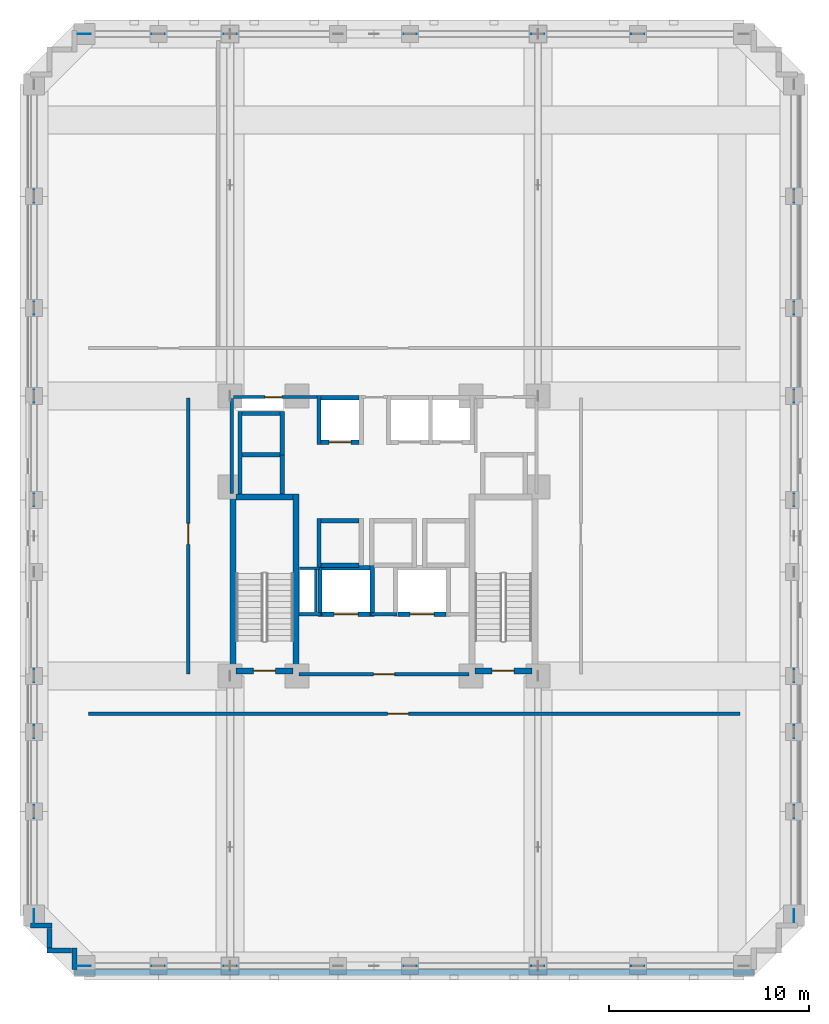
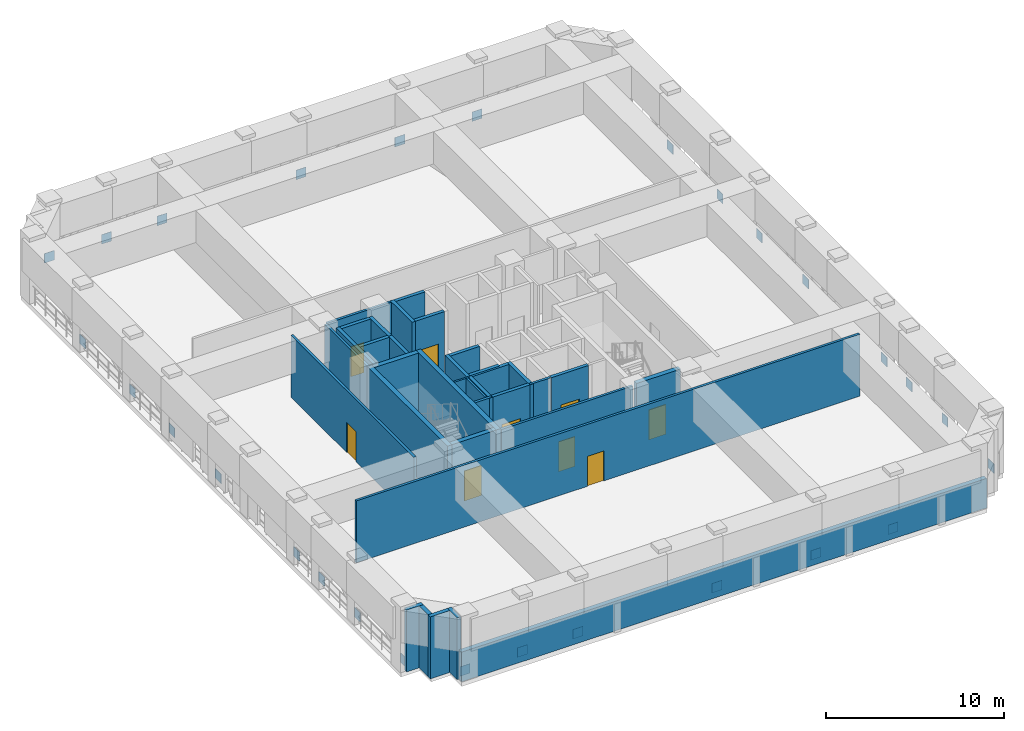
# One storey, part 4 of 11: 35 walls, 28 plates, 9 doors, 9 openings.
"""IFC4 building model written with IfcOpenShell, lengths in metres."""

from ifc_helpers import new_model, si_unit, derived_unit, direction, frame, frame_2d, origin, origin_2d, place, context, subcontext, project, spatial, rectangle, extrude, material, layer, layer_set, type_object, element, fill, save


model = new_model("IFC4")

# Units and contexts
model_context = context("Model", 3, precision=1e-05, world=origin(), true_north=direction((0.0, 1.0)))
body_context = subcontext(model_context, "Body", "Model", "MODEL_VIEW")
ifc_project = project(units=[si_unit("LENGTHUNIT", "METRE"), si_unit("AREAUNIT", "SQUARE_METRE"), si_unit("VOLUMEUNIT", "CUBIC_METRE"), si_unit("PLANEANGLEUNIT", "RADIAN"), si_unit("MASSUNIT", "GRAM", prefix="KILO"), derived_unit("THERMALTRANSMITTANCEUNIT", [(si_unit("MASSUNIT", "GRAM", prefix="KILO"), 1), (si_unit("TIMEUNIT", "SECOND"), -3), (si_unit("THERMODYNAMICTEMPERATUREUNIT", "KELVIN"), -1)])], contexts=[model_context])

# Site, building, storey
site_placement = place(None, origin())
site = spatial("IfcSite", under=ifc_project, at=site_placement, CompositionType="ELEMENT")
building_placement = place(site_placement, origin())
building = spatial("IfcBuilding", under=site, at=building_placement, Name="Korrvale Station Residences", CompositionType="ELEMENT")
storey_placement = place(building_placement, frame((0.0, 0.0, 70.60009765625)))
storey = spatial("IfcBuildingStorey", under=building, at=storey_placement, Name="L19", CompositionType="ELEMENT", Elevation=70.60009765625)

# Plates
ifc_material_1 = material(Name="Steel S355", Category="steel")
ifc_layer_1 = layer(ifc_material_1, 0.02490234375, Name="Steel S355")
ifc_layer_set_1 = layer_set([ifc_layer_1], Name="Steel S355")
plate_type = type_object("IfcPlateType", Name="PLT-GUSSET-25", PredefinedType="SHEET", material=ifc_layer_set_1)
for number, where, z_axis, x_axis, name in (
    (1, (10.5, 0.47998046875, 0.02490234375), (0.0, 0.0, 1.0), (1.0, 0.0, 0.0), "L19 Belt Truss Node Gusset Plate 01"),
    (2, (14.199951171875, 0.47998046875, 0.02490234375), (0.0, 0.0, 1.0), (1.0, 0.0, 0.0), "L19 Belt Truss Node Gusset Plate 02"),
    (3, (17.800048828125, 0.47998046875, 0.02490234375), (0.0, 0.0, 1.0), (1.0, 0.0, 0.0), "L19 Belt Truss Node Gusset Plate 03"),
    (4, (26.800048828125, 0.47998046875, 0.02490234375), (0.0, 0.0, 1.0), (1.0, 0.0, 0.0), "L19 Belt Truss Node Gusset Plate 04"),
    (5, (33.199951171875, 0.47998046875, 0.02490234375), (0.0, 0.0, 1.0), (1.0, 0.0, 0.0), "L19 Belt Truss Node Gusset Plate 05"),
    (6, (38.199951171875, 0.47998046875, 0.02490234375), (0.0, 0.0, 1.0), (1.0, 0.0, 0.0), "L19 Belt Truss Node Gusset Plate 06"),
    (7, (10.5, 47.1201171875, 0.02490234375), (0.0, 0.0, 1.0), (1.0, 0.0, 0.0), "L19 Belt Truss Node Gusset Plate 07"),
    (8, (14.199951171875, 47.1201171875, 0.02490234375), (0.0, 0.0, 1.0), (1.0, 0.0, 0.0), "L19 Belt Truss Node Gusset Plate 08"),
    (9, (17.800048828125, 47.1201171875, 0.02490234375), (0.0, 0.0, 1.0), (1.0, 0.0, 0.0), "L19 Belt Truss Node Gusset Plate 09"),
    (10, (26.800048828125, 47.1201171875, 0.02490234375), (0.0, 0.0, 1.0), (1.0, 0.0, 0.0), "L19 Belt Truss Node Gusset Plate 10"),
    (11, (33.199951171875, 47.1201171875, 0.02490234375), (0.0, 0.0, 1.0), (1.0, 0.0, 0.0), "L19 Belt Truss Node Gusset Plate 11"),
    (12, (38.199951171875, 47.1201171875, 0.02490234375), (0.0, 0.0, 1.0), (1.0, 0.0, 0.0), "L19 Belt Truss Node Gusset Plate 12"),
    (13, (7.97998046875, 3.0, 0.02490234375), (0.0, 0.0, 1.0), (0.0, 1.0, 0.0), "L19 Belt Truss Node Gusset Plate 13"),
    (14, (7.97998046875, 8.199951171875, 0.02490234375), (0.0, 0.0, 1.0), (0.0, 1.0, 0.0), "L19 Belt Truss Node Gusset Plate 14"),
    (15, (7.97998046875, 12.199951171875, 0.02490234375), (0.0, 0.0, 1.0), (0.0, 1.0, 0.0), "L19 Belt Truss Node Gusset Plate 15"),
    (16, (7.97998046875, 15.0, 0.02490234375), (0.0, 0.0, 1.0), (0.0, 1.0, 0.0), "L19 Belt Truss Node Gusset Plate 16"),
    (17, (7.97998046875, 23.800048828125, 0.02490234375), (0.0, 0.0, 1.0), (0.0, 1.0, 0.0), "L19 Belt Truss Node Gusset Plate 17"),
    (18, (7.97998046875, 29.0, 0.02490234375), (0.0, 0.0, 1.0), (0.0, 1.0, 0.0), "L19 Belt Truss Node Gusset Plate 18"),
    (19, (7.97998046875, 33.39990234375, 0.02490234375), (0.0, 0.0, 1.0), (0.0, 1.0, 0.0), "L19 Belt Truss Node Gusset Plate 19"),
    (20, (7.97998046875, 39.0, 0.02490234375), (0.0, 0.0, 1.0), (0.0, 1.0, 0.0), "L19 Belt Truss Node Gusset Plate 20"),
    (21, (46.02001953125, 3.0, 0.02490234375), (0.0, 0.0, 1.0), (0.0, 1.0, 0.0), "L19 Belt Truss Node Gusset Plate 21"),
    (22, (46.02001953125, 8.199951171875, 0.02490234375), (0.0, 0.0, 1.0), (0.0, 1.0, 0.0), "L19 Belt Truss Node Gusset Plate 22"),
    (23, (46.02001953125, 12.199951171875, 0.02490234375), (0.0, 0.0, 1.0), (0.0, 1.0, 0.0), "L19 Belt Truss Node Gusset Plate 23"),
    (24, (46.02001953125, 15.0, 0.02490234375), (0.0, 0.0, 1.0), (0.0, 1.0, 0.0), "L19 Belt Truss Node Gusset Plate 24"),
    (25, (46.02001953125, 23.800048828125, 0.02490234375), (0.0, 0.0, 1.0), (0.0, 1.0, 0.0), "L19 Belt Truss Node Gusset Plate 25"),
    (26, (46.02001953125, 29.0, 0.02490234375), (0.0, 0.0, 1.0), (0.0, 1.0, 0.0), "L19 Belt Truss Node Gusset Plate 26"),
    (27, (46.02001953125, 33.39990234375, 0.02490234375), (0.0, 0.0, 1.0), (0.0, 1.0, 0.0), "L19 Belt Truss Node Gusset Plate 27"),
    (28, (46.02001953125, 39.0, 0.02490234375), (0.0, 0.0, 1.0), (0.0, 1.0, 0.0), "L19 Belt Truss Node Gusset Plate 28"),
):
    element("IfcPlate", number, at=place(storey_placement, frame(where, z_axis=z_axis, x_axis=x_axis)), inside=storey, type_object=plate_type, Name=name, PredefinedType="SHEET", context=body_context, shape_type="SweptSolid", body=[
        extrude(rectangle(XDim=0.64990234375, YDim=0.02490234375, at=origin_2d()), origin(), (0.0, 0.0, 1.0), 0.64990234375),
    ])

# Walls
ifc_material_2 = material(Name="Concrete C70/85", Category="concrete")
ifc_layer_2 = layer(ifc_material_2, 0.300048828125, Name="Concrete C70/85")
ifc_layer_set_2 = layer_set([ifc_layer_2], Name="Concrete C70/85")
wall_type_1 = type_object("IfcWallType", Name="WAL-CORE-300-C70", PredefinedType="SHEAR", material=ifc_layer_set_2)
for number, where, z_axis, x_axis, name in (
    (29, (17.949951171875, 15.10009765625, 0.0), (0.0, 0.0, 1.0), (0.0, 1.0, 0.0), "L19 ST-1 Core Shear Wall West"),
    (30, (21.10009765625, 15.10009765625, 0.0), (0.0, 0.0, 1.0), (0.0, 1.0, 0.0), "L19 ST-1 Core Shear Wall East"),
):
    element("IfcWall", number, at=place(storey_placement, frame(where, z_axis=z_axis, x_axis=x_axis)), inside=storey, type_object=wall_type_1, Name=name, PredefinedType="SHEAR", context=body_context, shape_type="SweptSolid", body=[
        extrude(rectangle(XDim=9.0, YDim=0.300048828125, at=frame_2d((4.5, 0.0))), origin(), (0.0, 0.0, 1.0), 4.239990234375),
    ])
wall_1_placement = place(storey_placement, frame((18.10009765625, 23.949951171875, 0.0), z_axis=(0.0, 0.0, 1.0), x_axis=(1.0, 0.0, 0.0)))
element("IfcWall", 31, at=wall_1_placement, inside=storey, type_object=wall_type_1, Name="L19 ST-1 Core Shear Wall North", PredefinedType="SHEAR", context=body_context, shape_type="SweptSolid", body=[
    extrude(rectangle(XDim=2.849853515625, YDim=0.300048828125, at=frame_2d((1.4248046875, 0.0))), origin(), (0.0, 0.0, 1.0), 4.239990234375),
])

# Wall, opening, door
wall_2_placement = place(storey_placement, frame((18.10009765625, 15.25, 0.0), z_axis=(0.0, 0.0, 1.0), x_axis=(1.0, 0.0, 0.0)))
wall_2 = element("IfcWall", 32, at=wall_2_placement, inside=storey, type_object=wall_type_1, Name="L19 ST-1 Core Shear Wall South", PredefinedType="SHEAR", context=body_context, shape_type="SweptSolid", body=[
    extrude(rectangle(XDim=2.849853515625, YDim=0.300048828125, at=frame_2d((1.4248046875, 0.0))), origin(), (0.0, 0.0, 1.0), 4.239990234375),
])
opening_1_placement = place(wall_2_placement, frame((0.860107421875, 0.0, 0.0)))
opening_1 = element("IfcOpeningElement", 33, at=opening_1_placement, cuts=wall_2, Name="Opening SD-1100", PredefinedType="OPENING", context=body_context, shape_type="SweptSolid", body=[
    extrude(rectangle(XDim=1.10009765625, YDim=2.050048828125, at=frame_2d((0.550048828125, 1.02490234375))), frame((0.0, 0.16015625, 0.0), z_axis=(0.0, -1.0, 0.0), x_axis=(1.0, 0.0, 0.0)), (0.0, 0.0, 1.0), 0.320068359375),
])
ifc_material_3 = material(Name="Hollow-metal fire-rated stair door with closer", Category="steel")
door_type_1 = type_object("IfcDoorType", Name="DR-STAIR-1100", OperationType="NOTDEFINED", PredefinedType="DOOR", material=ifc_material_3)
door_1_placement = place(opening_1_placement, origin())
door_1 = element("IfcDoor", 34, at=door_1_placement, inside=storey, type_object=door_type_1, Name="L19 ST-1 Exit Stair Door", OperationType="SINGLE_SWING_LEFT", OverallHeight=2.050048828125, OverallWidth=1.10009765625, PredefinedType="DOOR", context=body_context, shape_type="SweptSolid", body=[
    extrude(rectangle(XDim=1.10009765625, YDim=2.050048828125, at=frame_2d((0.550048828125, 1.02490234375))), frame((0.0, 0.02490234375, 0.0), z_axis=(0.0, -1.0, 0.0), x_axis=(1.0, 0.0, 0.0)), (0.0, 0.0, 1.0), 0.050048828125),
])
fill(opening_1, door_1)

wall_3_placement = place(storey_placement, frame((30.050048828125, 15.25, 0.0), z_axis=(0.0, 0.0, 1.0), x_axis=(1.0, 0.0, 0.0)))
wall_3 = element("IfcWall", 35, at=wall_3_placement, inside=storey, type_object=wall_type_1, Name="L19 ST-2 Core Shear Wall South", PredefinedType="SHEAR", context=body_context, shape_type="SweptSolid", body=[
    extrude(rectangle(XDim=2.849853515625, YDim=0.300048828125, at=frame_2d((1.4248046875, 0.0))), origin(), (0.0, 0.0, 1.0), 4.239990234375),
])
opening_2_placement = place(wall_3_placement, frame((0.860107421875, 0.0, 0.0)))
opening_2 = element("IfcOpeningElement", 36, at=opening_2_placement, cuts=wall_3, Name="Opening SD-1100", PredefinedType="OPENING", context=body_context, shape_type="SweptSolid", body=[
    extrude(rectangle(XDim=1.10009765625, YDim=2.050048828125, at=frame_2d((0.550048828125, 1.02490234375))), frame((0.0, 0.16015625, 0.0), z_axis=(0.0, -1.0, 0.0), x_axis=(1.0, 0.0, 0.0)), (0.0, 0.0, 1.0), 0.320068359375),
])
door_2_placement = place(opening_2_placement, origin())
door_2 = element("IfcDoor", 37, at=door_2_placement, inside=storey, type_object=door_type_1, Name="L19 ST-2 Exit Stair Door", OperationType="SINGLE_SWING_RIGHT", OverallHeight=2.050048828125, OverallWidth=1.10009765625, PredefinedType="DOOR", context=body_context, shape_type="SweptSolid", body=[
    extrude(rectangle(XDim=1.10009765625, YDim=2.050048828125, at=frame_2d((0.550048828125, 1.02490234375))), frame((0.0, 0.02490234375, 0.0), z_axis=(0.0, -1.0, 0.0), x_axis=(1.0, 0.0, 0.0)), (0.0, 0.0, 1.0), 0.050048828125),
])
fill(opening_2, door_2)

# Walls
ifc_material_4 = material(Name="Precast concrete C45/55", Category="concrete")
ifc_layer_3 = layer(ifc_material_4, 0.260009765625, Name="Precast concrete C45/55")
ifc_layer_set_3 = layer_set([ifc_layer_3], Name="Precast concrete C45/55")
wall_type_2 = type_object("IfcWallType", Name="WAL-EXT-LOG260", PredefinedType="SOLIDWALL", material=ifc_layer_set_3)
wall_4_placement = place(storey_placement, frame((10.0, 0.302001953125, 0.0), z_axis=(0.0, 0.0, 1.0), x_axis=(0.0, 1.0, 0.0)))
element("IfcWall", 38, at=wall_4_placement, inside=storey, type_object=wall_type_2, Name="L19 Serrated Corner Precast Step SW-1", PredefinedType="SOLIDWALL", context=body_context, shape_type="SweptSolid", body=[
    extrude(rectangle(XDim=1.077880859375, YDim=0.260009765625, at=frame_2d((0.5390625, 0.0))), origin(), (0.0, 0.0, 1.0), 4.239990234375),
])
wall_5_placement = place(storey_placement, frame((9.867919921875, 1.25, 0.0), z_axis=(0.0, 0.0, 1.0), x_axis=(-1.0, 0.0, 0.0)))
element("IfcWall", 39, at=wall_5_placement, inside=storey, type_object=wall_type_2, Name="L19 Serrated Corner Precast Step SW-2", PredefinedType="SOLIDWALL", context=body_context, shape_type="SweptSolid", body=[
    extrude(rectangle(XDim=1.247802734375, YDim=0.260009765625, at=frame_2d((0.6240234375, 0.0))), origin(), (0.0, 0.0, 1.0), 4.239990234375),
])
wall_6_placement = place(storey_placement, frame((8.75, 1.382080078125, 0.0), z_axis=(0.0, 0.0, 1.0), x_axis=(0.0, 1.0, 0.0)))
element("IfcWall", 40, at=wall_6_placement, inside=storey, type_object=wall_type_2, Name="L19 Serrated Corner Precast Step SW-3", PredefinedType="SOLIDWALL", context=body_context, shape_type="SweptSolid", body=[
    extrude(rectangle(XDim=0.98583984375, YDim=0.260009765625, at=frame_2d((0.492919921875, 0.0))), origin(), (0.0, 0.0, 1.0), 4.239990234375),
])
wall_7_placement = place(storey_placement, frame((8.8798828125, 2.5, 0.0), z_axis=(0.0, 0.0, 1.0), x_axis=(-1.0, 0.0, 0.0)))
element("IfcWall", 41, at=wall_7_placement, inside=storey, type_object=wall_type_2, Name="L19 Serrated Corner Precast Step SW-4", PredefinedType="SOLIDWALL", context=body_context, shape_type="SweptSolid", body=[
    extrude(rectangle(XDim=1.077880859375, YDim=0.260009765625, at=frame_2d((0.5390625, 0.0))), origin(), (0.0, 0.0, 1.0), 4.239990234375),
])
ifc_layer_4 = layer(ifc_material_4, 0.300048828125, Name="Precast concrete C45/55")
ifc_layer_set_4 = layer_set([ifc_layer_4], Name="Precast concrete C45/55")
wall_type_3 = type_object("IfcWallType", Name="WAL-EXT-PC300", PredefinedType="SOLIDWALL", material=ifc_layer_set_4)
wall_8_placement = place(storey_placement, frame((44.0, 0.14990234375, 0.0), z_axis=(0.0, 0.0, 1.0), x_axis=(-1.0, 0.0, 0.0)))
element("IfcWall", 42, at=wall_8_placement, inside=storey, type_object=wall_type_3, Name="L19 South Exterior Precast Wall 1", PredefinedType="SOLIDWALL", context=body_context, shape_type="SweptSolid", body=[
    extrude(rectangle(XDim=34.0, YDim=0.300048828125, at=frame_2d((17.0, 0.0))), origin(), (0.0, 0.0, 1.0), 2.02490234375),
])
ifc_material_5 = material(Name="Acoustic steel-stud gypsum board partition", Category="steel")
ifc_layer_5 = layer(ifc_material_5, 0.1201171875, Name="Acoustic steel-stud gypsum board partition")
ifc_layer_set_5 = layer_set([ifc_layer_5], Name="Acoustic steel-stud gypsum board partition")
wall_type_4 = type_object("IfcWallType", Name="WAL-PART-125", PredefinedType="PARTITIONING", material=ifc_layer_set_5)
wall_9_placement = place(storey_placement, frame((22.080078125, 18.199951171875, 0.0), z_axis=(0.0, 0.0, 1.0), x_axis=(0.0, 1.0, 0.0)))
element("IfcWall", 43, at=wall_9_placement, inside=storey, type_object=wall_type_4, Name="L19 Core Partition CW-RSWT", PredefinedType="PARTITIONING", context=body_context, shape_type="SweptSolid", body=[
    extrude(rectangle(XDim=2.1201171875, YDim=0.1201171875, at=frame_2d((1.06005859375, 0.0))), origin(), (0.0, 0.0, 1.0), 4.239990234375),
])
wall_10_placement = place(storey_placement, frame((22.280029296875, 20.3798828125, 0.0), z_axis=(0.0, 0.0, 1.0), x_axis=(-1.0, 0.0, 0.0)))
element("IfcWall", 44, at=wall_10_placement, inside=storey, type_object=wall_type_4, Name="L19 Core Partition CW-RSWT-N", PredefinedType="PARTITIONING", context=body_context, shape_type="SweptSolid", body=[
    extrude(rectangle(XDim=1.02001953125, YDim=0.1201171875, at=frame_2d((0.510009765625, 0.0))), origin(), (0.0, 0.0, 1.0), 4.239990234375),
])

# Wall, opening, door
ifc_material_6 = material(Name="Fire-rated twin-stud gypsum and mineral wool shaftwall assembly", Category="gypsum")
ifc_layer_6 = layer(ifc_material_6, 0.159912109375, Name="Fire-rated twin-stud gypsum and mineral wool shaftwall assembly")
ifc_layer_set_6 = layer_set([ifc_layer_6], Name="Fire-rated twin-stud gypsum and mineral wool shaftwall assembly")
wall_type_5 = type_object("IfcWallType", Name="WAL-PART-200", PredefinedType="PARTITIONING", material=ifc_layer_set_6)
wall_11_placement = place(storey_placement, frame((21.25, 15.080078125, 0.0), z_axis=(0.0, 0.0, 1.0), x_axis=(1.0, 0.0, 0.0)))
wall_11 = element("IfcWall", 45, at=wall_11_placement, inside=storey, type_object=wall_type_5, Name="L19 Core Partition CW-FFL-S", PredefinedType="PARTITIONING", context=body_context, shape_type="SweptSolid", body=[
    extrude(rectangle(XDim=8.5, YDim=0.159912109375, at=frame_2d((4.25, 0.0))), origin(), (0.0, 0.0, 1.0), 4.239990234375),
])
opening_3_placement = place(wall_11_placement, frame((3.72509765625, 0.0, 0.0)))
opening_3 = element("IfcOpeningElement", 46, at=opening_3_placement, cuts=wall_11, Name="Opening FD-1050", PredefinedType="OPENING", context=body_context, shape_type="SweptSolid", body=[
    extrude(rectangle(XDim=1.050048828125, YDim=2.050048828125, at=frame_2d((0.52490234375, 1.02490234375))), frame((0.0, 0.08984375, 0.0), z_axis=(0.0, -1.0, 0.0), x_axis=(1.0, 0.0, 0.0)), (0.0, 0.0, 1.0), 0.179931640625),
])
ifc_material_7 = material(Name="Fire-rated mineral-core timber lobby door", Category="wood")
door_type_2 = type_object("IfcDoorType", Name="DR-CORE-1050", OperationType="NOTDEFINED", PredefinedType="DOOR", material=ifc_material_7)
door_3_placement = place(opening_3_placement, origin())
door_3 = element("IfcDoor", 47, at=door_3_placement, inside=storey, type_object=door_type_2, Name="L19 Firefighting Lobby Entry Door", OperationType="SINGLE_SWING_RIGHT", OverallHeight=2.050048828125, OverallWidth=1.050048828125, PredefinedType="DOOR", context=body_context, shape_type="SweptSolid", body=[
    extrude(rectangle(XDim=1.050048828125, YDim=2.050048828125, at=frame_2d((0.52490234375, 1.02490234375))), frame((0.0, 0.02490234375, 0.0), z_axis=(0.0, -1.0, 0.0), x_axis=(1.0, 0.0, 0.0)), (0.0, 0.0, 1.0), 0.050048828125),
])
fill(opening_3, door_3)

# Walls
wall_12_placement = place(storey_placement, frame((21.25, 18.080078125, 0.0), z_axis=(0.0, 0.0, 1.0), x_axis=(1.0, 0.0, 0.0)))
element("IfcWall", 48, at=wall_12_placement, inside=storey, type_object=wall_type_5, Name="L19 Core Partition CW-FFL-N1", PredefinedType="PARTITIONING", context=body_context, shape_type="SweptSolid", body=[
    extrude(rectangle(XDim=1.10009765625, YDim=0.159912109375, at=frame_2d((0.550048828125, 0.0))), origin(), (0.0, 0.0, 1.0), 4.239990234375),
])
wall_13_placement = place(storey_placement, frame((24.85009765625, 18.080078125, 0.0), z_axis=(0.0, 0.0, 1.0), x_axis=(1.0, 0.0, 0.0)))
element("IfcWall", 49, at=wall_13_placement, inside=storey, type_object=wall_type_5, Name="L19 Core Partition CW-FFL-N2", PredefinedType="PARTITIONING", context=body_context, shape_type="SweptSolid", body=[
    extrude(rectangle(XDim=1.2998046875, YDim=0.159912109375, at=frame_2d((0.64990234375, 0.0))), origin(), (0.0, 0.0, 1.0), 4.239990234375),
])
wall_14_placement = place(storey_placement, frame((17.8798828125, 24.1201171875, 0.0), z_axis=(0.0, 0.0, 1.0), x_axis=(0.0, 1.0, 0.0)))
element("IfcWall", 50, at=wall_14_placement, inside=storey, type_object=wall_type_5, Name="L19 Core Partition CW-W-N", PredefinedType="PARTITIONING", context=body_context, shape_type="SweptSolid", body=[
    extrude(rectangle(XDim=4.759765625, YDim=0.159912109375, at=frame_2d((2.3798828125, 0.0))), origin(), (0.0, 0.0, 1.0), 4.239990234375),
])

# Wall, opening, door
wall_15_placement = place(storey_placement, frame((17.9599609375, 28.949951171875, 0.0), z_axis=(0.0, 0.0, 1.0), x_axis=(1.0, 0.0, 0.0)))
wall_15 = element("IfcWall", 51, at=wall_15_placement, inside=storey, type_object=wall_type_5, Name="L19 Core Partition CW-NW", PredefinedType="PARTITIONING", context=body_context, shape_type="SweptSolid", body=[
    extrude(rectangle(XDim=4.2900390625, YDim=0.159912109375, at=frame_2d((2.14501953125, 0.0))), origin(), (0.0, 0.0, 1.0), 4.239990234375),
])
opening_4_placement = place(wall_15_placement, frame((1.570068359375, 0.0, 0.0)))
opening_4 = element("IfcOpeningElement", 52, at=opening_4_placement, cuts=wall_15, Name="Opening DB-860", PredefinedType="OPENING", context=body_context, shape_type="SweptSolid", body=[
    extrude(rectangle(XDim=0.860107421875, YDim=2.050048828125, at=frame_2d((0.43017578125, 1.02490234375))), frame((0.0, 0.08984375, 0.0), z_axis=(0.0, -1.0, 0.0), x_axis=(1.0, 0.0, 0.0)), (0.0, 0.0, 1.0), 0.179931640625),
])
ifc_material_8 = material(Name="Moisture-resistant solid-core bathroom door", Category="timber")
door_type_3 = type_object("IfcDoorType", Name="DR-BATH-860", OperationType="NOTDEFINED", PredefinedType="DOOR", material=ifc_material_8)
door_4_placement = place(opening_4_placement, origin())
door_4 = element("IfcDoor", 53, at=door_4_placement, inside=storey, type_object=door_type_3, Name="L19 Electrical Riser Access Door", OperationType="SINGLE_SWING_RIGHT", OverallHeight=2.050048828125, OverallWidth=0.860107421875, PredefinedType="DOOR", context=body_context, shape_type="SweptSolid", body=[
    extrude(rectangle(XDim=0.860107421875, YDim=2.050048828125, at=frame_2d((0.43017578125, 1.02490234375))), frame((0.0, 0.02490234375, 0.0), z_axis=(0.0, -1.0, 0.0), x_axis=(1.0, 0.0, 0.0)), (0.0, 0.0, 1.0), 0.050048828125),
])
fill(opening_4, door_4)

wall_16_placement = place(storey_placement, frame((10.699951171875, 13.10009765625, 0.0), z_axis=(0.0, 0.0, 1.0), x_axis=(1.0, 0.0, 0.0)))
wall_16 = element("IfcWall", 54, at=wall_16_placement, inside=storey, type_object=wall_type_5, Name="L19 Interior Partition W-RS", PredefinedType="PARTITIONING", context=body_context, shape_type="SweptSolid", body=[
    extrude(rectangle(XDim=32.60009765625, YDim=0.159912109375, at=frame_2d((16.300048828125, 0.0))), origin(), (0.0, 0.0, 1.0), 4.239990234375),
])
opening_5_placement = place(wall_16_placement, frame((14.97509765625, 0.0, 0.0)))
opening_5 = element("IfcOpeningElement", 55, at=opening_5_placement, cuts=wall_16, Name="Opening FD-1050", PredefinedType="OPENING", context=body_context, shape_type="SweptSolid", body=[
    extrude(rectangle(XDim=1.050048828125, YDim=2.050048828125, at=frame_2d((0.52490234375, 1.02490234375))), frame((0.0, 0.08984375, 0.0), z_axis=(0.0, -1.0, 0.0), x_axis=(1.0, 0.0, 0.0)), (0.0, 0.0, 1.0), 0.179931640625),
])
door_5_placement = place(opening_5_placement, origin())
door_5 = element("IfcDoor", 56, at=door_5_placement, inside=storey, type_object=door_type_2, Name="L19 Heat Exchanger Plant Door", OperationType="SINGLE_SWING_RIGHT", OverallHeight=2.050048828125, OverallWidth=1.050048828125, PredefinedType="DOOR", context=body_context, shape_type="SweptSolid", body=[
    extrude(rectangle(XDim=1.050048828125, YDim=2.050048828125, at=frame_2d((0.52490234375, 1.02490234375))), frame((0.0, 0.02490234375, 0.0), z_axis=(0.0, -1.0, 0.0), x_axis=(1.0, 0.0, 0.0)), (0.0, 0.0, 1.0), 0.050048828125),
])
fill(opening_5, door_5)

wall_17_placement = place(storey_placement, frame((15.699951171875, 15.10009765625, 0.0), z_axis=(0.0, 0.0, 1.0), x_axis=(0.0, 1.0, 0.0)))
wall_17 = element("IfcWall", 57, at=wall_17_placement, inside=storey, type_object=wall_type_5, Name="L19 Interior Partition W-RW", PredefinedType="PARTITIONING", context=body_context, shape_type="SweptSolid", body=[
    extrude(rectangle(XDim=13.7998046875, YDim=0.159912109375, at=frame_2d((6.89990234375, 0.0))), origin(), (0.0, 0.0, 1.0), 4.239990234375),
])
opening_6_placement = place(wall_17_placement, frame((6.47509765625, 0.0, 0.0)))
opening_6 = element("IfcOpeningElement", 58, at=opening_6_placement, cuts=wall_17, Name="Opening FD-1050", PredefinedType="OPENING", context=body_context, shape_type="SweptSolid", body=[
    extrude(rectangle(XDim=1.050048828125, YDim=2.050048828125, at=frame_2d((0.52490234375, 1.02490234375))), frame((0.0, 0.08984375, 0.0), z_axis=(0.0, -1.0, 0.0), x_axis=(1.0, 0.0, 0.0)), (0.0, 0.0, 1.0), 0.179931640625),
])
door_6_placement = place(opening_6_placement, origin())
door_6 = element("IfcDoor", 59, at=door_6_placement, inside=storey, type_object=door_type_2, Name="L19 West Refuge Area Fire Door", OperationType="SINGLE_SWING_LEFT", OverallHeight=2.050048828125, OverallWidth=1.050048828125, PredefinedType="DOOR", context=body_context, shape_type="SweptSolid", body=[
    extrude(rectangle(XDim=1.050048828125, YDim=2.050048828125, at=frame_2d((0.52490234375, 1.02490234375))), frame((0.0, 0.02490234375, 0.0), z_axis=(0.0, -1.0, 0.0), x_axis=(1.0, 0.0, 0.0)), (0.0, 0.0, 1.0), 0.050048828125),
])
fill(opening_6, door_6)

ifc_layer_7 = layer(ifc_material_2, 0.219970703125, Name="Concrete C70/85")
ifc_layer_set_7 = layer_set([ifc_layer_7], Name="Concrete C70/85")
wall_type_6 = type_object("IfcWallType", Name="WAL-SHAFT-220-C70", PredefinedType="SHEAR", material=ifc_layer_set_7)
wall_18_placement = place(storey_placement, frame((22.35009765625, 26.68994140625, 0.0), z_axis=(0.0, 0.0, 1.0), x_axis=(1.0, 0.0, 0.0)))
wall_18 = element("IfcWall", 60, at=wall_18_placement, inside=storey, type_object=wall_type_6, Name="L19 Elevator PL-1 Hoistway Wall South", PredefinedType="SHEAR", context=body_context, shape_type="SweptSolid", body=[
    extrude(rectangle(XDim=1.89990234375, YDim=0.219970703125, at=frame_2d((0.949951171875, 0.0))), origin(), (0.0, 0.0, 1.0), 4.239990234375),
])
opening_7_placement = place(wall_18_placement, frame((0.39990234375, 0.0, 0.0)))
opening_7 = element("IfcOpeningElement", 61, at=opening_7_placement, cuts=wall_18, Name="Opening LD-1100", PredefinedType="OPENING", context=body_context, shape_type="SweptSolid", body=[
    extrude(rectangle(XDim=1.10009765625, YDim=2.14990234375, at=frame_2d((0.550048828125, 1.074951171875))), frame((0.0, 0.1201171875, 0.0), z_axis=(0.0, -1.0, 0.0), x_axis=(1.0, 0.0, 0.0)), (0.0, 0.0, 1.0), 0.239990234375),
])
ifc_material_9 = material(Name="Brushed stainless-steel elevator landing sliding door", Category="steel")
door_type_4 = type_object("IfcDoorType", Name="DR-LIFT-1100", OperationType="SLIDING_TO_LEFT", PredefinedType="DOOR", material=ifc_material_9)
door_7_placement = place(opening_7_placement, origin())
door_7 = element("IfcDoor", 62, at=door_7_placement, inside=storey, type_object=door_type_4, Name="L19 Elevator PL-1 Sliding Landing Door", OperationType="SLIDING_TO_LEFT", OverallHeight=2.14990234375, OverallWidth=1.10009765625, PredefinedType="DOOR", context=body_context, shape_type="SweptSolid", body=[
    extrude(rectangle(XDim=1.10009765625, YDim=2.14990234375, at=frame_2d((0.550048828125, 1.074951171875))), frame((0.0, 0.02490234375, 0.0), z_axis=(0.0, -1.0, 0.0), x_axis=(1.0, 0.0, 0.0)), (0.0, 0.0, 1.0), 0.050048828125),
])
fill(opening_7, door_7)

# Walls
wall_19_placement = place(storey_placement, frame((22.35009765625, 28.909912109375, 0.0), z_axis=(0.0, 0.0, 1.0), x_axis=(1.0, 0.0, 0.0)))
element("IfcWall", 63, at=wall_19_placement, inside=storey, type_object=wall_type_6, Name="L19 Elevator PL-1 Hoistway Wall North", PredefinedType="SHEAR", context=body_context, shape_type="SweptSolid", body=[
    extrude(rectangle(XDim=1.89990234375, YDim=0.219970703125, at=frame_2d((0.949951171875, 0.0))), origin(), (0.0, 0.0, 1.0), 4.239990234375),
])
wall_20_placement = place(storey_placement, frame((22.239990234375, 26.580078125, 0.0), z_axis=(0.0, 0.0, 1.0), x_axis=(0.0, 1.0, 0.0)))
element("IfcWall", 64, at=wall_20_placement, inside=storey, type_object=wall_type_6, Name="L19 Elevator PL-1 Hoistway Wall West", PredefinedType="SHEAR", context=body_context, shape_type="SweptSolid", body=[
    extrude(rectangle(XDim=2.43994140625, YDim=0.219970703125, at=frame_2d((1.219970703125, 0.0))), origin(), (0.0, 0.0, 1.0), 4.239990234375),
])
for number, where, z_axis, x_axis, name in (
    (65, (22.35009765625, 20.5400390625, 0.0), (0.0, 0.0, 1.0), (1.0, 0.0, 0.0), "L19 Elevator PM-1 Hoistway Wall South"),
    (66, (22.35009765625, 22.760009765625, 0.0), (0.0, 0.0, 1.0), (1.0, 0.0, 0.0), "L19 Elevator PM-1 Hoistway Wall North"),
):
    element("IfcWall", number, at=place(storey_placement, frame(where, z_axis=z_axis, x_axis=x_axis)), inside=storey, type_object=wall_type_6, Name=name, PredefinedType="SHEAR", context=body_context, shape_type="SweptSolid", body=[
        extrude(rectangle(XDim=1.89990234375, YDim=0.219970703125, at=frame_2d((0.949951171875, 0.0))), origin(), (0.0, 0.0, 1.0), 4.239990234375),
    ])
wall_21_placement = place(storey_placement, frame((22.239990234375, 20.429931640625, 0.0), z_axis=(0.0, 0.0, 1.0), x_axis=(0.0, 1.0, 0.0)))
element("IfcWall", 67, at=wall_21_placement, inside=storey, type_object=wall_type_6, Name="L19 Elevator PM-1 Hoistway Wall West", PredefinedType="SHEAR", context=body_context, shape_type="SweptSolid", body=[
    extrude(rectangle(XDim=2.440185546875, YDim=0.219970703125, at=frame_2d((1.22021484375, 0.0))), origin(), (0.0, 0.0, 1.0), 4.239990234375),
])
wall_22_placement = place(storey_placement, frame((18.2900390625, 24.10009765625, 0.0), z_axis=(0.0, 0.0, 1.0), x_axis=(0.0, 1.0, 0.0)))
element("IfcWall", 68, at=wall_22_placement, inside=storey, type_object=wall_type_6, Name="L19 Elevator PH-1 Hoistway Wall West", PredefinedType="SHEAR", context=body_context, shape_type="SweptSolid", body=[
    extrude(rectangle(XDim=4.139892578125, YDim=0.219970703125, at=frame_2d((2.06982421875, 0.0))), origin(), (0.0, 0.0, 1.0), 4.239990234375),
])
wall_23_placement = place(storey_placement, frame((20.409912109375, 24.10009765625, 0.0), z_axis=(0.0, 0.0, 1.0), x_axis=(0.0, 1.0, 0.0)))
element("IfcWall", 69, at=wall_23_placement, inside=storey, type_object=wall_type_6, Name="L19 Elevator PH-1 Hoistway Wall East", PredefinedType="SHEAR", context=body_context, shape_type="SweptSolid", body=[
    extrude(rectangle(XDim=1.9599609375, YDim=0.219970703125, at=frame_2d((0.97998046875, 0.0))), origin(), (0.0, 0.0, 1.0), 4.239990234375),
])
for number, where, z_axis, x_axis, name in (
    (70, (18.39990234375, 26.06005859375, 0.0), (0.0, 0.0, 1.0), (1.0, 0.0, 0.0), "L19 Elevator PH-2 Hoistway Wall South"),
    (71, (18.39990234375, 28.1298828125, 0.0), (0.0, 0.0, 1.0), (1.0, 0.0, 0.0), "L19 Elevator PH-2 Hoistway Wall North"),
):
    element("IfcWall", number, at=place(storey_placement, frame(where, z_axis=z_axis, x_axis=x_axis)), inside=storey, type_object=wall_type_6, Name=name, PredefinedType="SHEAR", context=body_context, shape_type="SweptSolid", body=[
        extrude(rectangle(XDim=1.900146484375, YDim=0.219970703125, at=frame_2d((0.9501953125, 0.0))), origin(), (0.0, 0.0, 1.0), 4.239990234375),
    ])
wall_24_placement = place(storey_placement, frame((20.409912109375, 26.06005859375, 0.0), z_axis=(0.0, 0.0, 1.0), x_axis=(0.0, 1.0, 0.0)))
element("IfcWall", 72, at=wall_24_placement, inside=storey, type_object=wall_type_6, Name="L19 Elevator PH-2 Hoistway Wall East", PredefinedType="SHEAR", context=body_context, shape_type="SweptSolid", body=[
    extrude(rectangle(XDim=2.179931640625, YDim=0.219970703125, at=frame_2d((1.08984375, 0.0))), origin(), (0.0, 0.0, 1.0), 4.239990234375),
])

# Wall, opening, door
wall_25_placement = place(storey_placement, frame((22.39990234375, 18.090087890625, 0.0), z_axis=(0.0, 0.0, 1.0), x_axis=(1.0, 0.0, 0.0)))
wall_25 = element("IfcWall", 73, at=wall_25_placement, inside=storey, type_object=wall_type_6, Name="L19 Elevator FFL-1 Hoistway Wall South", PredefinedType="SHEAR", context=body_context, shape_type="SweptSolid", body=[
    extrude(rectangle(XDim=2.400146484375, YDim=0.219970703125, at=frame_2d((1.2001953125, 0.0))), origin(), (0.0, 0.0, 1.0), 4.239990234375),
])
opening_8_placement = place(wall_25_placement, frame((0.60009765625, 0.0, 0.0)))
opening_8 = element("IfcOpeningElement", 74, at=opening_8_placement, cuts=wall_25, Name="Opening LD-FF1200", PredefinedType="OPENING", context=body_context, shape_type="SweptSolid", body=[
    extrude(rectangle(XDim=1.199951171875, YDim=2.14990234375, at=frame_2d((0.60009765625, 1.074951171875))), frame((0.0, 0.1201171875, 0.0), z_axis=(0.0, -1.0, 0.0), x_axis=(1.0, 0.0, 0.0)), (0.0, 0.0, 1.0), 0.239990234375),
])
ifc_material_10 = material(Name="Stainless-steel firefighter elevator landing sliding door", Category="steel")
door_type_5 = type_object("IfcDoorType", Name="DR-LIFT-FF1200", OperationType="SLIDING_TO_LEFT", PredefinedType="DOOR", material=ifc_material_10)
door_8_placement = place(opening_8_placement, origin())
door_8 = element("IfcDoor", 75, at=door_8_placement, inside=storey, type_object=door_type_5, Name="L19 Elevator FFL-1 Sliding Landing Door", OperationType="SLIDING_TO_LEFT", OverallHeight=2.14990234375, OverallWidth=1.199951171875, PredefinedType="DOOR", context=body_context, shape_type="SweptSolid", body=[
    extrude(rectangle(XDim=1.199951171875, YDim=2.14990234375, at=frame_2d((0.60009765625, 1.074951171875))), frame((0.0, 0.02490234375, 0.0), z_axis=(0.0, -1.0, 0.0), x_axis=(1.0, 0.0, 0.0)), (0.0, 0.0, 1.0), 0.050048828125),
])
fill(opening_8, door_8)

# Walls
wall_26_placement = place(storey_placement, frame((22.39990234375, 20.409912109375, 0.0), z_axis=(0.0, 0.0, 1.0), x_axis=(1.0, 0.0, 0.0)))
element("IfcWall", 76, at=wall_26_placement, inside=storey, type_object=wall_type_6, Name="L19 Elevator FFL-1 Hoistway Wall North", PredefinedType="SHEAR", context=body_context, shape_type="SweptSolid", body=[
    extrude(rectangle(XDim=2.400146484375, YDim=0.219970703125, at=frame_2d((1.2001953125, 0.0))), origin(), (0.0, 0.0, 1.0), 4.239990234375),
])
for number, where, z_axis, x_axis, name in (
    (77, (22.2900390625, 17.97998046875, 0.0), (0.0, 0.0, 1.0), (0.0, 1.0, 0.0), "L19 Elevator FFL-1 Hoistway Wall West"),
    (78, (24.909912109375, 17.97998046875, 0.0), (0.0, 0.0, 1.0), (0.0, 1.0, 0.0), "L19 Elevator FFL-1 Hoistway Wall East"),
):
    element("IfcWall", number, at=place(storey_placement, frame(where, z_axis=z_axis, x_axis=x_axis)), inside=storey, type_object=wall_type_6, Name=name, PredefinedType="SHEAR", context=body_context, shape_type="SweptSolid", body=[
        extrude(rectangle(XDim=2.5400390625, YDim=0.219970703125, at=frame_2d((1.27001953125, 0.0))), origin(), (0.0, 0.0, 1.0), 4.239990234375),
    ])

# Wall, opening, door
wall_27_placement = place(storey_placement, frame((26.199951171875, 18.090087890625, 0.0), z_axis=(0.0, 0.0, 1.0), x_axis=(1.0, 0.0, 0.0)))
wall_27 = element("IfcWall", 79, at=wall_27_placement, inside=storey, type_object=wall_type_6, Name="L19 Elevator FFL-2 Hoistway Wall South", PredefinedType="SHEAR", context=body_context, shape_type="SweptSolid", body=[
    extrude(rectangle(XDim=2.400146484375, YDim=0.219970703125, at=frame_2d((1.2001953125, 0.0))), origin(), (0.0, 0.0, 1.0), 4.239990234375),
])
opening_9_placement = place(wall_27_placement, frame((0.60009765625, 0.0, 0.0)))
opening_9 = element("IfcOpeningElement", 80, at=opening_9_placement, cuts=wall_27, Name="Opening LD-FF1200", PredefinedType="OPENING", context=body_context, shape_type="SweptSolid", body=[
    extrude(rectangle(XDim=1.199951171875, YDim=2.14990234375, at=frame_2d((0.60009765625, 1.074951171875))), frame((0.0, 0.1201171875, 0.0), z_axis=(0.0, -1.0, 0.0), x_axis=(1.0, 0.0, 0.0)), (0.0, 0.0, 1.0), 0.239990234375),
])
door_9_placement = place(opening_9_placement, origin())
door_9 = element("IfcDoor", 81, at=door_9_placement, inside=storey, type_object=door_type_5, Name="L19 Elevator FFL-2 Sliding Landing Door", OperationType="SLIDING_TO_LEFT", OverallHeight=2.14990234375, OverallWidth=1.199951171875, PredefinedType="DOOR", context=body_context, shape_type="SweptSolid", body=[
    extrude(rectangle(XDim=1.199951171875, YDim=2.14990234375, at=frame_2d((0.60009765625, 1.074951171875))), frame((0.0, 0.02490234375, 0.0), z_axis=(0.0, -1.0, 0.0), x_axis=(1.0, 0.0, 0.0)), (0.0, 0.0, 1.0), 0.050048828125),
])
fill(opening_9, door_9)

save(model, "model.ifc")
